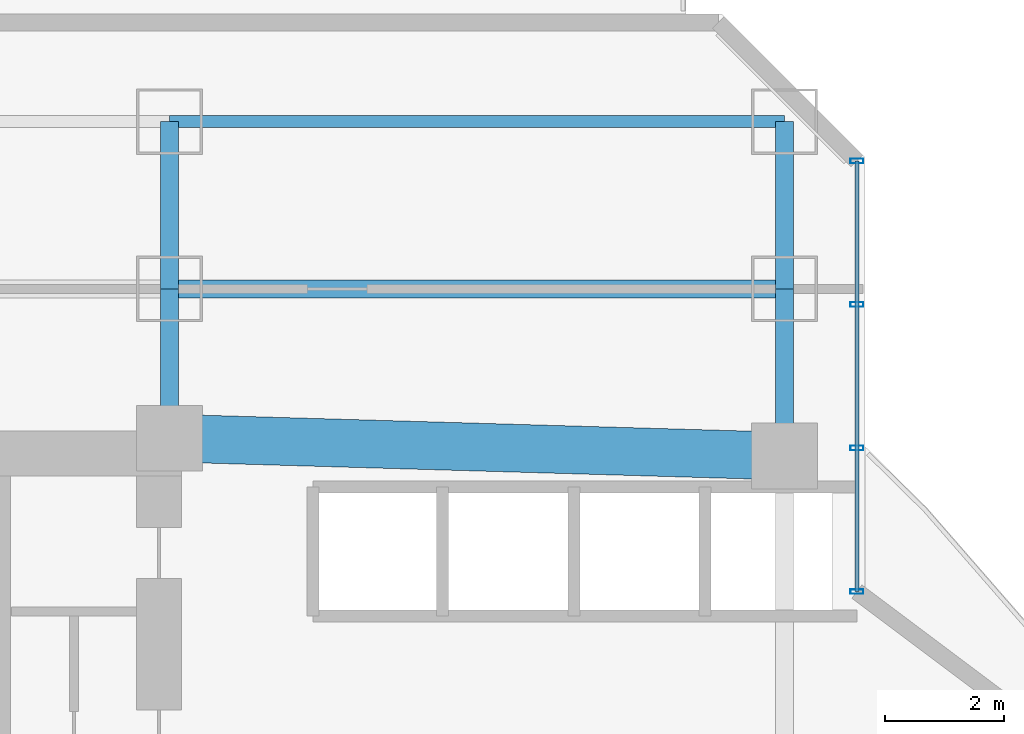
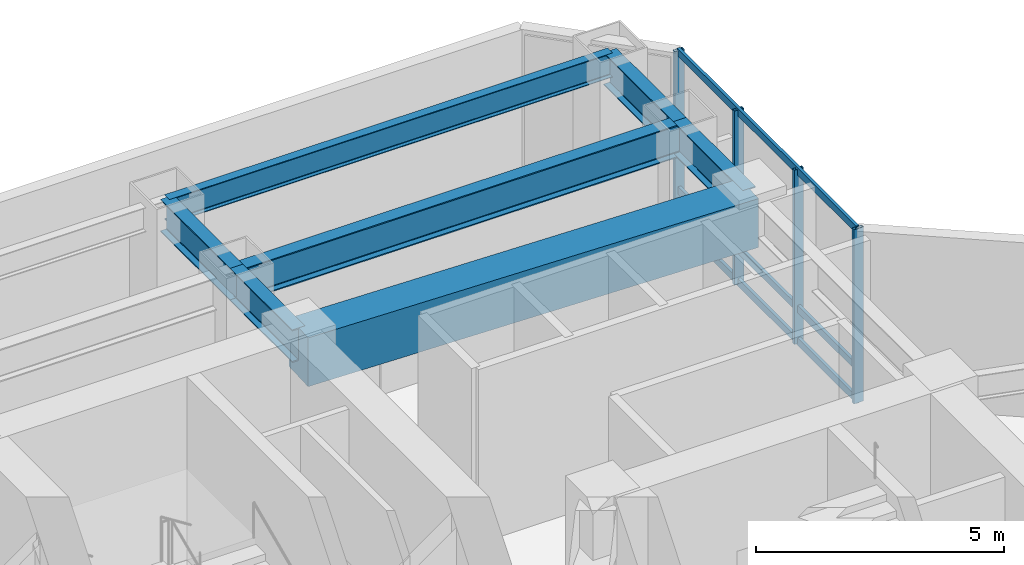
# One storey, part 16 of 29: 7 beams, 7 members, 1 element without a shape of its own.
"""IFC4 building model written with IfcOpenShell, lengths in metres."""

from ifc_helpers import new_model, si_unit, direction, frame, origin, origin_2d, place, context, subcontext, project, spatial, rectangle, hollow_rectangle, i_section, extrude, material, layer, layer_set, material_profile, profile_set, type_object, element, aggregate, save


model = new_model("IFC4")

# Units and contexts
model_context = context("Model", 3, precision=1e-05, world=origin(), true_north=direction((0.0, 1.0)))
body_context = subcontext(model_context, "Body", "Model", "MODEL_VIEW")
ifc_project = project(units=[si_unit("LENGTHUNIT", "METRE"), si_unit("AREAUNIT", "SQUARE_METRE"), si_unit("VOLUMEUNIT", "CUBIC_METRE"), si_unit("PLANEANGLEUNIT", "RADIAN"), si_unit("MASSUNIT", "GRAM", prefix="KILO")], contexts=[model_context])

# Site, building, storey
site_placement = place(None, origin())
site = spatial("IfcSite", under=ifc_project, at=site_placement, CompositionType="ELEMENT")
building_placement = place(site_placement, origin())
building = spatial("IfcBuilding", under=site, at=building_placement, Name="Hatsunagi Terrace Concourse", CompositionType="ELEMENT")
storey_placement = place(building_placement, frame((0.0, 0.0, 32.10009765625)))
storey = spatial("IfcBuildingStorey", under=building, at=storey_placement, Name="L07", CompositionType="ELEMENT", Elevation=32.10009765625)

# Beam
ifc_material_1 = material(Name="Concrete Fc60", Category="concrete")
ifc_material_profile_1 = material_profile(ifc_material_1, rectangle(XDim=0.800048828125, YDim=1.199951171875, at=origin_2d()), Name="RC-800x1200")
ifc_profile_set_1 = profile_set([ifc_material_profile_1], Name="Concrete Fc60")
beam_type_1 = type_object("IfcBeamType", Name="CoreCouplingBeam_RC_800x1200", PredefinedType="BEAM", material=ifc_profile_set_1)
beam_1_placement = place(storey_placement, frame((33.35009765625, 43.300048828125, 3.679931640625), z_axis=(0.999575947545, -0.029119153303, 0.0), x_axis=(0.029119153303, 0.999575947545, 0.0)))
element("IfcBeam", 1, at=beam_1_placement, inside=storey, type_object=beam_type_1, Name="Beam CB-01 CB-L07-2", PredefinedType="BEAM", context=body_context, shape_type="SweptSolid", body=[
    extrude(rectangle(XDim=0.800048828125, YDim=1.199951171875, at=origin_2d()), origin(), (0.0, 0.0, 1.0), 10.30419921875),
])

# Curtain wall, members
ifc_material_2 = material(Name="Anodised Aluminium Alloy 6063-T5", Category="aluminium")
ifc_layer = layer(ifc_material_2, 0.199951171875)
ifc_layer_set = layer_set([ifc_layer], Name="SkyLobbyAtrium_CW05")
curtain_wall_type = type_object("IfcCurtainWallType", Name="SkyLobbyAtrium_CW05", PredefinedType="NOTDEFINED", material=ifc_layer_set)
curtain_wall_placement = place(storey_placement, origin())
curtain_wall = element("IfcCurtainWall", 2, at=curtain_wall_placement, inside=storey, type_object=curtain_wall_type, Name="Unitised Curtain Wall CW-05 CW-L07-13", PredefinedType="NOTDEFINED")
ifc_material_3 = material(Name="Anodised Aluminium Alloy 6063-T5", Category="aluminium")
ifc_material_profile_2 = material_profile(ifc_material_3, hollow_rectangle(XDim=0.080078125, YDim=0.219970703125, WallThickness=0.0048828125, at=origin_2d()), Name="ALU-MUL-220x80x5")
ifc_profile_set_2 = profile_set([ifc_material_profile_2], Name="Anodised Aluminium Alloy 6063-T5")
member_type_1 = type_object("IfcMemberType", Name="CurtainWallMullion_Heavy_220x80", PredefinedType="MULLION", material=ifc_profile_set_2)
member_1_placement = place(storey_placement, frame((44.860107421875, 47.94189453125, 0.0), z_axis=(0.0, 0.0, 1.0), x_axis=(0.0, -1.0, 0.0)))
member_1 = element("IfcMember", 3, at=member_1_placement, type_object=member_type_1, Name="Curtain Wall Mullion MUL-01", PredefinedType="MULLION", context=body_context, shape_type="SweptSolid", body=[
    extrude(hollow_rectangle(XDim=0.080078125, YDim=0.219970703125, WallThickness=0.0048828125, at=origin_2d()), origin(), (0.0, 0.0, 1.0), 4.27978515625),
])
member_2_placement = place(storey_placement, frame((44.860107421875, 45.5380859375, 0.0), z_axis=(0.0, 0.0, 1.0), x_axis=(0.0, -1.0, 0.0)))
member_2 = element("IfcMember", 4, at=member_2_placement, type_object=member_type_1, Name="Curtain Wall Mullion MUL-01", PredefinedType="MULLION", context=body_context, shape_type="SweptSolid", body=[
    extrude(hollow_rectangle(XDim=0.080078125, YDim=0.219970703125, WallThickness=0.0048828125, at=origin_2d()), origin(), (0.0, 0.0, 1.0), 4.27978515625),
])
member_3_placement = place(storey_placement, frame((44.860107421875, 43.134033203125, 0.0), z_axis=(0.0, 0.0, 1.0), x_axis=(0.0, -1.0, 0.0)))
member_3 = element("IfcMember", 5, at=member_3_placement, type_object=member_type_1, Name="Curtain Wall Mullion MUL-01", PredefinedType="MULLION", context=body_context, shape_type="SweptSolid", body=[
    extrude(hollow_rectangle(XDim=0.080078125, YDim=0.219970703125, WallThickness=0.0048828125, at=origin_2d()), origin(), (0.0, 0.0, 1.0), 4.27978515625),
])
member_4_placement = place(storey_placement, frame((44.860107421875, 40.72998046875, 0.0), z_axis=(0.0, 0.0, 1.0), x_axis=(0.0, -1.0, 0.0)))
member_4 = element("IfcMember", 6, at=member_4_placement, type_object=member_type_1, Name="Curtain Wall Mullion MUL-01", PredefinedType="MULLION", context=body_context, shape_type="SweptSolid", body=[
    extrude(hollow_rectangle(XDim=0.080078125, YDim=0.219970703125, WallThickness=0.0048828125, at=origin_2d()), origin(), (0.0, 0.0, 1.0), 4.27978515625),
])
ifc_material_4 = material(Name="Anodised Aluminium Alloy 6063-T5", Category="aluminium")
ifc_material_profile_3 = material_profile(ifc_material_4, hollow_rectangle(XDim=0.070068359375, YDim=0.179931640625, WallThickness=0.00390625, at=origin_2d()), Name="ALU-TRN-180x70x4")
ifc_profile_set_3 = profile_set([ifc_material_profile_3], Name="Anodised Aluminium Alloy 6063-T5")
member_type_2 = type_object("IfcMemberType", Name="CurtainWallTransom_Heavy_180x70", PredefinedType="USERDEFINED", material=ifc_profile_set_3)
member_5_placement = place(storey_placement, frame((44.860107421875, 47.94189453125, 0.0498046875), z_axis=(0.0, -1.0, 0.0), x_axis=(1.0, 0.0, 0.0)))
member_5 = element("IfcMember", 7, at=member_5_placement, type_object=member_type_2, Name="Curtain Wall Transom TRN-01", ObjectType="TRANSOM", PredefinedType="USERDEFINED", context=body_context, shape_type="SweptSolid", body=[
    extrude(hollow_rectangle(XDim=0.070068359375, YDim=0.179931640625, WallThickness=0.00390625, at=origin_2d()), origin(), (0.0, 0.0, 1.0), 7.2119140625),
])
member_6_placement = place(storey_placement, frame((44.860107421875, 47.94189453125, 0.849853515625), z_axis=(0.0, -1.0, 0.0), x_axis=(1.0, 0.0, 0.0)))
member_6 = element("IfcMember", 8, at=member_6_placement, type_object=member_type_2, Name="Curtain Wall Transom TRN-01", ObjectType="TRANSOM", PredefinedType="USERDEFINED", context=body_context, shape_type="SweptSolid", body=[
    extrude(hollow_rectangle(XDim=0.070068359375, YDim=0.179931640625, WallThickness=0.00390625, at=origin_2d()), origin(), (0.0, 0.0, 1.0), 7.2119140625),
])
member_7_placement = place(storey_placement, frame((44.860107421875, 47.94189453125, 4.22998046875), z_axis=(0.0, -1.0, 0.0), x_axis=(1.0, 0.0, 0.0)))
member_7 = element("IfcMember", 9, at=member_7_placement, type_object=member_type_2, Name="Curtain Wall Transom TRN-01", ObjectType="TRANSOM", PredefinedType="USERDEFINED", context=body_context, shape_type="SweptSolid", body=[
    extrude(hollow_rectangle(XDim=0.070068359375, YDim=0.179931640625, WallThickness=0.00390625, at=origin_2d()), origin(), (0.0, 0.0, 1.0), 7.2119140625),
])
aggregate(curtain_wall, [member_1, member_2, member_3, member_4, member_5, member_6, member_7])

# Beams
ifc_material_5 = material(Name="Steel SN490B", Category="steel")
ifc_material_profile_4 = material_profile(ifc_material_5, i_section(OverallWidth=0.199951171875, OverallDepth=0.60009765625, WebThickness=0.010986328125, FlangeThickness=0.01708984375, FilletRadius=0.01806640625, at=origin_2d()), Name="H-600x200x11x17")
ifc_profile_set_4 = profile_set([ifc_material_profile_4], Name="Steel SN490B")
beam_type_2 = type_object("IfcBeamType", Name="PerimeterSpandrel_H_600x200", PredefinedType="SPANDREL", material=ifc_profile_set_4)
beam_2_placement = place(storey_placement, frame((33.35009765625, 48.60009765625, 3.97998046875), z_axis=(1.0, 0.0, 0.0), x_axis=(0.0, 1.0, 0.0)))
element("IfcBeam", 10, at=beam_2_placement, inside=storey, type_object=beam_type_2, Name="Beam SP-01 BM-L07-WN-33", PredefinedType="SPANDREL", context=body_context, shape_type="SweptSolid", body=[
    extrude(i_section(OverallWidth=0.199951171875, OverallDepth=0.60009765625, WebThickness=0.010986328125, FlangeThickness=0.01708984375, FilletRadius=0.01806640625, at=origin_2d()), origin(), (0.0, 0.0, 1.0), 10.2998046875),
])
ifc_material_6 = material(Name="Steel SN490B", Category="steel")
ifc_material_profile_5 = material_profile(ifc_material_6, i_section(OverallWidth=0.300048828125, OverallDepth=0.800048828125, WebThickness=0.013916015625, FlangeThickness=0.02587890625, FilletRadius=0.02197265625, at=origin_2d()), Name="H-800x300x14x26")
ifc_profile_set_5 = profile_set([ifc_material_profile_5], Name="Steel SN490B")
beam_type_3 = type_object("IfcBeamType", Name="SkyLobbyGirder_H_800x300", PredefinedType="BEAM", material=ifc_profile_set_5)
beam_3_placement = place(storey_placement, frame((33.35009765625, 43.300048828125, 3.8798828125), z_axis=(0.0, 1.0, 0.0), x_axis=(-1.0, 0.0, 0.0)))
element("IfcBeam", 11, at=beam_3_placement, inside=storey, type_object=beam_type_3, Name="Beam G-03 BM-L07-CN2", PredefinedType="BEAM", context=body_context, shape_type="SweptSolid", body=[
    extrude(i_section(OverallWidth=0.300048828125, OverallDepth=0.800048828125, WebThickness=0.013916015625, FlangeThickness=0.02587890625, FilletRadius=0.02197265625, at=origin_2d()), origin(), (0.0, 0.0, 1.0), 2.5),
])
beam_4_placement = place(storey_placement, frame((43.64990234375, 43.0, 3.8798828125), z_axis=(0.0, 1.0, 0.0), x_axis=(-1.0, 0.0, 0.0)))
element("IfcBeam", 12, at=beam_4_placement, inside=storey, type_object=beam_type_3, Name="Beam G-03 BM-L07-CN3", PredefinedType="BEAM", context=body_context, shape_type="SweptSolid", body=[
    extrude(i_section(OverallWidth=0.300048828125, OverallDepth=0.800048828125, WebThickness=0.013916015625, FlangeThickness=0.02587890625, FilletRadius=0.02197265625, at=origin_2d()), origin(), (0.0, 0.0, 1.0), 2.800048828125),
])
beam_5_placement = place(storey_placement, frame((33.35009765625, 45.800048828125, 3.8798828125), z_axis=(1.0, 0.0, 0.0), x_axis=(0.0, 1.0, 0.0)))
element("IfcBeam", 13, at=beam_5_placement, inside=storey, type_object=beam_type_3, Name="Beam G-03 BM-L07-CNEW2", PredefinedType="BEAM", context=body_context, shape_type="SweptSolid", body=[
    extrude(i_section(OverallWidth=0.300048828125, OverallDepth=0.800048828125, WebThickness=0.013916015625, FlangeThickness=0.02587890625, FilletRadius=0.02197265625, at=origin_2d()), origin(), (0.0, 0.0, 1.0), 10.2998046875),
])
for number, where, z_axis, x_axis, name in (
    (14, (33.35009765625, 45.800048828125, 3.8798828125), (0.0, 1.0, 0.0), (-1.0, 0.0, 0.0), "Beam G-03 BM-L07-KN-WN5"),
    (15, (43.64990234375, 45.800048828125, 3.8798828125), (0.0, 1.0, 0.0), (-1.0, 0.0, 0.0), "Beam G-03 BM-L07-KN-WN6"),
):
    element("IfcBeam", number, at=place(storey_placement, frame(where, z_axis=z_axis, x_axis=x_axis)), inside=storey, type_object=beam_type_3, Name=name, PredefinedType="BEAM", context=body_context, shape_type="SweptSolid", body=[
        extrude(i_section(OverallWidth=0.300048828125, OverallDepth=0.800048828125, WebThickness=0.013916015625, FlangeThickness=0.02587890625, FilletRadius=0.02197265625, at=origin_2d()), origin(), (0.0, 0.0, 1.0), 2.800048828125),
    ])

save(model, "model.ifc")
